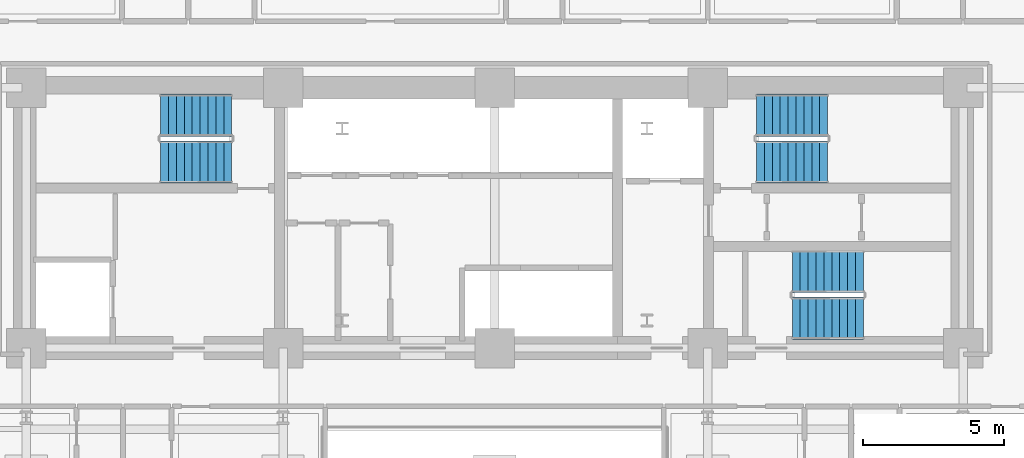
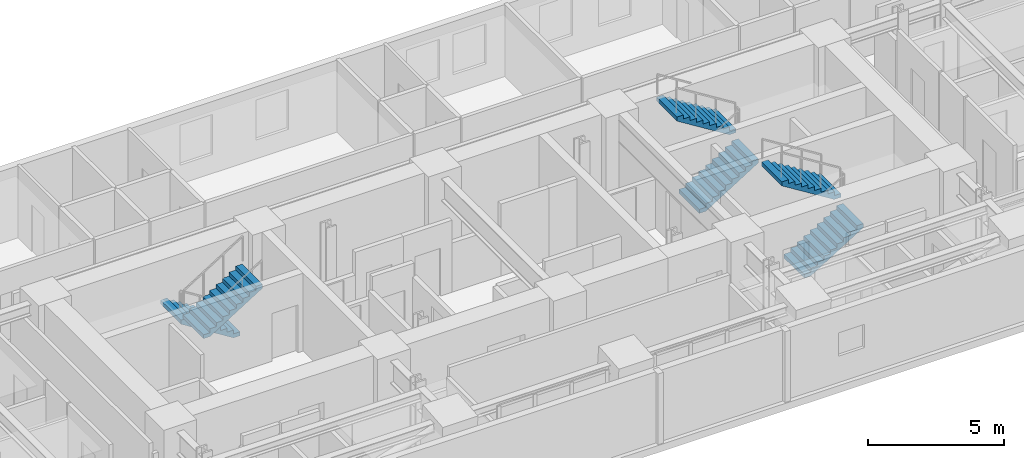
# One storey, part 12 of 16: 6 stair flights, 3 elements without a shape of their own.
"""IFC4 building model written with IfcOpenShell, lengths in metres."""

from ifc_helpers import new_model, si_unit, direction, frame, origin, place, context, subcontext, project, spatial, polyline, outline, extrude, material, layer, layer_set, type_object, element, aggregate, save


model = new_model("IFC4")

# Units and contexts
model_context = context("Model", 3, precision=1e-05, world=origin(), true_north=direction((0.0, 1.0)))
body_context = subcontext(model_context, "Body", "Model", "MODEL_VIEW")
ifc_project = project(units=[si_unit("LENGTHUNIT", "METRE"), si_unit("AREAUNIT", "SQUARE_METRE"), si_unit("VOLUMEUNIT", "CUBIC_METRE"), si_unit("PLANEANGLEUNIT", "RADIAN"), si_unit("MASSUNIT", "GRAM", prefix="KILO")], contexts=[model_context])

# Site, building, storey
site_placement = place(None, origin())
site = spatial("IfcSite", under=ifc_project, at=site_placement, CompositionType="ELEMENT")
building_placement = place(site_placement, origin())
building = spatial("IfcBuilding", under=site, at=building_placement, Name="Zarnavel Station Tower", CompositionType="ELEMENT")
storey_placement = place(building_placement, frame((0.0, 0.0, 32.5)))
storey = spatial("IfcBuildingStorey", under=building, at=storey_placement, Name="L08", CompositionType="ELEMENT", Elevation=32.5)

# Stair, stair flights
ifc_material_1 = material(Name="Concrete C45/55", Category="concrete")
stair_type = type_object("IfcStairType", Name="ST_CORE_150", PredefinedType="HALF_TURN_STAIR", material=ifc_material_1)
stair_1_placement = place(storey_placement, origin())
stair_1 = element("IfcStair", 1, at=stair_1_placement, inside=storey, type_object=stair_type, Name="L08 Core Exit Stair ST1", PredefinedType="HALF_TURN_STAIR")
ifc_material_2 = material(Name="Concrete C45/55", Category="concrete")
ifc_layer = layer(ifc_material_2, 0.179931640625)
ifc_layer_set = layer_set([ifc_layer], Name="ST_CORE_150_FLT")
stair_flight_type = type_object("IfcStairFlightType", Name="ST_CORE_150_FLT", PredefinedType="STRAIGHT", material=ifc_layer_set)
stair_flight_1_placement = place(storey_placement, frame((19.47998046875, 36.070068359375, 0.0), z_axis=(0.0, 0.0, 1.0), x_axis=(-1.0, 0.0, 0.0)))
stair_flight_1 = element("IfcStairFlight", 2, at=stair_flight_1_placement, type_object=stair_flight_type, Name="ST1 flight 1", NumberOfRisers=10, NumberOfTreads=9, PredefinedType="STRAIGHT", RiserHeight=0.175, TreadLength=0.28, context=body_context, shape_type="SweptSolid", body=[
    extrude(outline(polyline([(0.0, 0.0), (0.0, 0.175048828125), (0.280029296875, 0.175048828125), (0.280029296875, 0.35009765625), (0.56005859375, 0.35009765625), (0.56005859375, 0.52490234375), (0.840087890625, 0.52490234375), (0.840087890625, 0.699951171875), (1.1201171875, 0.699951171875), (1.1201171875, 0.875), (1.39990234375, 0.875), (1.39990234375, 1.050048828125), (1.679931640625, 1.050048828125), (1.679931640625, 1.22509765625), (1.9599609375, 1.22509765625), (1.9599609375, 1.39990234375), (2.239990234375, 1.39990234375), (2.239990234375, 1.574951171875), (2.52001953125, 1.574951171875), (2.52001953125, 1.75), (2.52001953125, 1.398193359375), (0.28271484375, 0.0), (0.0, 0.0)])), frame((0.0, 0.75, 0.0), z_axis=(0.0, -1.0, 0.0), x_axis=(1.0, 0.0, 0.0)), (0.0, 0.0, 1.0), 1.5),
])
stair_flight_2_placement = place(storey_placement, frame((16.9599609375, 34.409912109375, 1.75), z_axis=(0.0, 0.0, 1.0), x_axis=(1.0, 0.0, 0.0)))
stair_flight_2 = element("IfcStairFlight", 3, at=stair_flight_2_placement, type_object=stair_flight_type, Name="ST1 flight 2", NumberOfRisers=10, NumberOfTreads=9, PredefinedType="STRAIGHT", RiserHeight=0.175, TreadLength=0.28, context=body_context, shape_type="SweptSolid", body=[
    extrude(outline(polyline([(0.0, 0.0), (0.0, 0.175048828125), (0.280029296875, 0.175048828125), (0.280029296875, 0.35009765625), (0.56005859375, 0.35009765625), (0.56005859375, 0.52490234375), (0.840087890625, 0.52490234375), (0.840087890625, 0.699951171875), (1.1201171875, 0.699951171875), (1.1201171875, 0.875), (1.39990234375, 0.875), (1.39990234375, 1.050048828125), (1.679931640625, 1.050048828125), (1.679931640625, 1.22509765625), (1.9599609375, 1.22509765625), (1.9599609375, 1.39990234375), (2.239990234375, 1.39990234375), (2.239990234375, 1.574951171875), (2.52001953125, 1.574951171875), (2.52001953125, 1.75), (2.52001953125, 1.398193359375), (0.28271484375, 0.0), (0.0, 0.0)])), frame((0.0, 0.75, 0.0), z_axis=(0.0, -1.0, 0.0), x_axis=(1.0, 0.0, 0.0)), (0.0, 0.0, 1.0), 1.5),
])
aggregate(stair_1, [stair_flight_1, stair_flight_2])

stair_2_placement = place(storey_placement, origin())
stair_2 = element("IfcStair", 4, at=stair_2_placement, inside=storey, type_object=stair_type, Name="L08 Core Exit Stair ST2", PredefinedType="HALF_TURN_STAIR")
stair_flight_3_placement = place(storey_placement, frame((38.080078125, 34.409912109375, 0.0), z_axis=(0.0, 0.0, 1.0), x_axis=(1.0, 0.0, 0.0)))
stair_flight_3 = element("IfcStairFlight", 5, at=stair_flight_3_placement, type_object=stair_flight_type, Name="ST2 flight 1", NumberOfRisers=10, NumberOfTreads=9, PredefinedType="STRAIGHT", RiserHeight=0.175, TreadLength=0.28, context=body_context, shape_type="SweptSolid", body=[
    extrude(outline(polyline([(0.0, 0.0), (0.0, 0.175048828125), (0.280029296875, 0.175048828125), (0.280029296875, 0.35009765625), (0.56005859375, 0.35009765625), (0.56005859375, 0.52490234375), (0.840087890625, 0.52490234375), (0.840087890625, 0.699951171875), (1.1201171875, 0.699951171875), (1.1201171875, 0.875), (1.39990234375, 0.875), (1.39990234375, 1.050048828125), (1.679931640625, 1.050048828125), (1.679931640625, 1.22509765625), (1.9599609375, 1.22509765625), (1.9599609375, 1.39990234375), (2.239990234375, 1.39990234375), (2.239990234375, 1.574951171875), (2.52001953125, 1.574951171875), (2.52001953125, 1.75), (2.52001953125, 1.398193359375), (0.28271484375, 0.0), (0.0, 0.0)])), frame((0.0, 0.75, 0.0), z_axis=(0.0, -1.0, 0.0), x_axis=(1.0, 0.0, 0.0)), (0.0, 0.0, 1.0), 1.5),
])
stair_flight_4_placement = place(storey_placement, frame((40.60009765625, 36.070068359375, 1.75), z_axis=(0.0, 0.0, 1.0), x_axis=(-1.0, 0.0, 0.0)))
stair_flight_4 = element("IfcStairFlight", 6, at=stair_flight_4_placement, type_object=stair_flight_type, Name="ST2 flight 2", NumberOfRisers=10, NumberOfTreads=9, PredefinedType="STRAIGHT", RiserHeight=0.175, TreadLength=0.28, context=body_context, shape_type="SweptSolid", body=[
    extrude(outline(polyline([(0.0, 0.0), (0.0, 0.175048828125), (0.280029296875, 0.175048828125), (0.280029296875, 0.35009765625), (0.56005859375, 0.35009765625), (0.56005859375, 0.52490234375), (0.840087890625, 0.52490234375), (0.840087890625, 0.699951171875), (1.1201171875, 0.699951171875), (1.1201171875, 0.875), (1.39990234375, 0.875), (1.39990234375, 1.050048828125), (1.679931640625, 1.050048828125), (1.679931640625, 1.22509765625), (1.9599609375, 1.22509765625), (1.9599609375, 1.39990234375), (2.239990234375, 1.39990234375), (2.239990234375, 1.574951171875), (2.52001953125, 1.574951171875), (2.52001953125, 1.75), (2.52001953125, 1.398193359375), (0.28271484375, 0.0), (0.0, 0.0)])), frame((0.0, 0.75, 0.0), z_axis=(0.0, -1.0, 0.0), x_axis=(1.0, 0.0, 0.0)), (0.0, 0.0, 1.0), 1.5),
])
aggregate(stair_2, [stair_flight_3, stair_flight_4])

stair_3_placement = place(storey_placement, origin())
stair_3 = element("IfcStair", 7, at=stair_3_placement, inside=storey, type_object=stair_type, Name="L08 Core Exit Stair ST3", PredefinedType="HALF_TURN_STAIR")
stair_flight_5_placement = place(storey_placement, frame((39.35009765625, 28.8701171875, 0.0), z_axis=(0.0, 0.0, 1.0), x_axis=(1.0, 0.0, 0.0)))
stair_flight_5 = element("IfcStairFlight", 8, at=stair_flight_5_placement, type_object=stair_flight_type, Name="ST3 flight 1", NumberOfRisers=10, NumberOfTreads=9, PredefinedType="STRAIGHT", RiserHeight=0.175, TreadLength=0.28, context=body_context, shape_type="SweptSolid", body=[
    extrude(outline(polyline([(0.0, 0.0), (0.0, 0.175048828125), (0.280029296875, 0.175048828125), (0.280029296875, 0.35009765625), (0.56005859375, 0.35009765625), (0.56005859375, 0.52490234375), (0.840087890625, 0.52490234375), (0.840087890625, 0.699951171875), (1.1201171875, 0.699951171875), (1.1201171875, 0.875), (1.39990234375, 0.875), (1.39990234375, 1.050048828125), (1.679931640625, 1.050048828125), (1.679931640625, 1.22509765625), (1.9599609375, 1.22509765625), (1.9599609375, 1.39990234375), (2.239990234375, 1.39990234375), (2.239990234375, 1.574951171875), (2.52001953125, 1.574951171875), (2.52001953125, 1.75), (2.52001953125, 1.398193359375), (0.28271484375, 0.0), (0.0, 0.0)])), frame((0.0, 0.75, 0.0), z_axis=(0.0, -1.0, 0.0), x_axis=(1.0, 0.0, 0.0)), (0.0, 0.0, 1.0), 1.5),
])
stair_flight_6_placement = place(storey_placement, frame((41.8701171875, 30.530029296875, 1.75), z_axis=(0.0, 0.0, 1.0), x_axis=(-1.0, 0.0, 0.0)))
stair_flight_6 = element("IfcStairFlight", 9, at=stair_flight_6_placement, type_object=stair_flight_type, Name="ST3 flight 2", NumberOfRisers=10, NumberOfTreads=9, PredefinedType="STRAIGHT", RiserHeight=0.175, TreadLength=0.28, context=body_context, shape_type="SweptSolid", body=[
    extrude(outline(polyline([(0.0, 0.0), (0.0, 0.175048828125), (0.280029296875, 0.175048828125), (0.280029296875, 0.35009765625), (0.56005859375, 0.35009765625), (0.56005859375, 0.52490234375), (0.840087890625, 0.52490234375), (0.840087890625, 0.699951171875), (1.1201171875, 0.699951171875), (1.1201171875, 0.875), (1.39990234375, 0.875), (1.39990234375, 1.050048828125), (1.679931640625, 1.050048828125), (1.679931640625, 1.22509765625), (1.9599609375, 1.22509765625), (1.9599609375, 1.39990234375), (2.239990234375, 1.39990234375), (2.239990234375, 1.574951171875), (2.52001953125, 1.574951171875), (2.52001953125, 1.75), (2.52001953125, 1.398193359375), (0.28271484375, 0.0), (0.0, 0.0)])), frame((0.0, 0.75, 0.0), z_axis=(0.0, -1.0, 0.0), x_axis=(1.0, 0.0, 0.0)), (0.0, 0.0, 1.0), 1.5),
])
aggregate(stair_3, [stair_flight_5, stair_flight_6])

save(model, "model.ifc")
